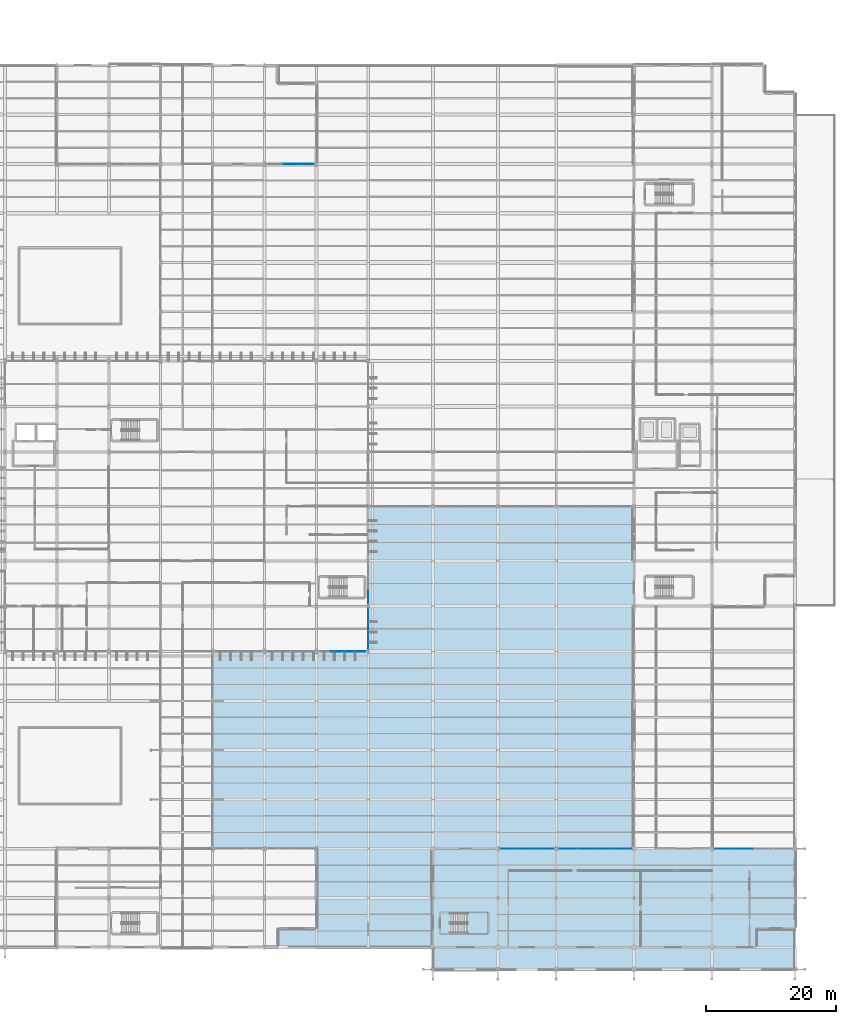
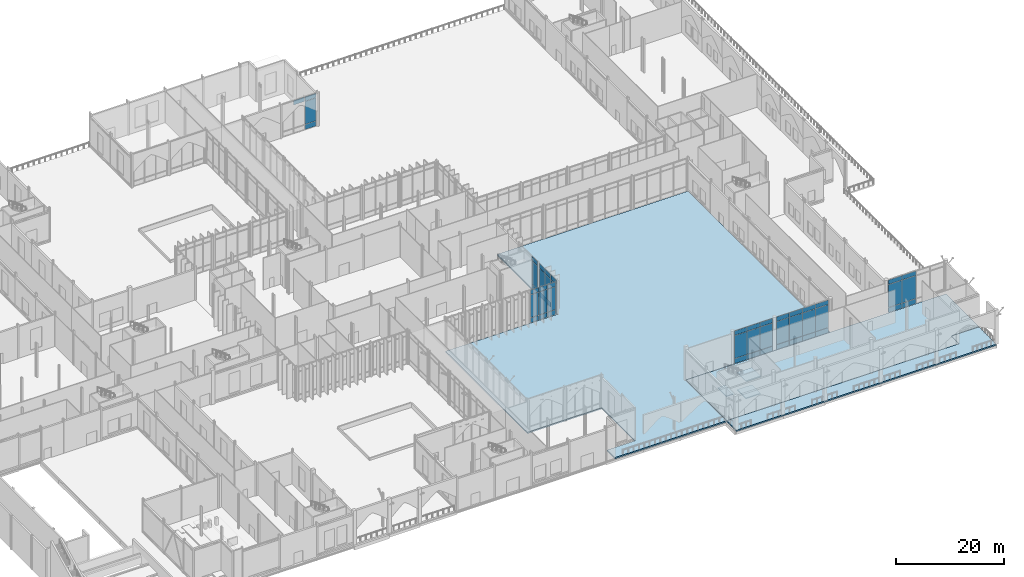
# One storey, part 122 of 176: 52 plates, 6 slabs, 8 elements without a shape of their own.
"""IFC4 building model written with IfcOpenShell, lengths in metres."""

from ifc_helpers import new_model, si_unit, direction, frame, origin, origin_2d, place, context, subcontext, project, spatial, polyline, rectangle, outline, extrude, material, layer, layer_set, type_object, element, aggregate, save


model = new_model("IFC4")

# Units and contexts
model_context = context("Model", 3, precision=1e-05, world=origin(), true_north=direction((0.0, 1.0)))
body_context = subcontext(model_context, "Body", "Model", "MODEL_VIEW")
ifc_project = project(units=[si_unit("LENGTHUNIT", "METRE"), si_unit("AREAUNIT", "SQUARE_METRE"), si_unit("VOLUMEUNIT", "CUBIC_METRE"), si_unit("PLANEANGLEUNIT", "RADIAN"), si_unit("MASSUNIT", "GRAM", prefix="KILO")], contexts=[model_context])

# Site, building, storey
site_placement = place(None, origin())
site = spatial("IfcSite", under=ifc_project, at=site_placement, CompositionType="ELEMENT")
building_placement = place(site_placement, origin())
building = spatial("IfcBuilding", under=site, at=building_placement, Name="Vekula Escarpment Museum", CompositionType="ELEMENT")
storey_placement = place(building_placement, origin())
storey = spatial("IfcBuildingStorey", under=building, at=storey_placement, Name="L01", CompositionType="ELEMENT", Elevation=0.0)

# Curtain wall, plates
ifc_material_1 = material(Name="Aluminium thermally broken framing", Category="aluminium")
ifc_layer_1 = layer(ifc_material_1, 0.139892578125)
ifc_layer_set_1 = layer_set([ifc_layer_1], Name="Aluminium thermally broken framing")
curtain_wall_type_1 = type_object("IfcCurtainWallType", Name="CW-SYS-06", PredefinedType="NOTDEFINED", material=ifc_layer_set_1)
curtain_wall_1_placement = place(storey_placement, origin())
curtain_wall_1 = element("IfcCurtainWall", 1, at=curtain_wall_1_placement, inside=storey, type_object=curtain_wall_type_1, Name="Curtain Wall CW-L01-016", PredefinedType="NOTDEFINED")
ifc_material_2 = material(Name="Double solar-control low-E glass", Category="glass")
ifc_layer_2 = layer(ifc_material_2, 0.028076171875)
ifc_layer_set_2 = layer_set([ifc_layer_2], Name="Double solar-control low-E glass")
plate_type_1 = type_object("IfcPlateType", Name="CW-PNL-28", PredefinedType="CURTAIN_PANEL", material=ifc_layer_set_2)
plate_1_placement = place(storey_placement, frame((165.2138671875, 15.199951171875, 0.06494140625), z_axis=(0.0, 0.0, 1.0), x_axis=(-1.0, 0.0, 0.0)))
plate_1 = element("IfcPlate", 2, at=plate_1_placement, type_object=plate_type_1, Name="CW-06 panel 1.1", PredefinedType="CURTAIN_PANEL", context=body_context, shape_type="SweptSolid", body=[
    extrude(rectangle(XDim=2.722412109375, YDim=0.028076171875, at=origin_2d()), origin(), (0.0, 0.0, 1.0), 1.1025390625),
])
plate_2_placement = place(storey_placement, frame((165.2138671875, 15.199951171875, 1.232421875), z_axis=(0.0, 0.0, 1.0), x_axis=(-1.0, 0.0, 0.0)))
plate_2 = element("IfcPlate", 3, at=plate_2_placement, type_object=plate_type_1, Name="CW-06 panel 1.2", PredefinedType="CURTAIN_PANEL", context=body_context, shape_type="SweptSolid", body=[
    extrude(rectangle(XDim=2.722412109375, YDim=0.028076171875, at=origin_2d()), origin(), (0.0, 0.0, 1.0), 5.175048828125),
])
plate_3_placement = place(storey_placement, frame((165.2138671875, 15.199951171875, 6.472412109375), z_axis=(0.0, 0.0, 1.0), x_axis=(-1.0, 0.0, 0.0)))
plate_3 = element("IfcPlate", 4, at=plate_3_placement, type_object=plate_type_1, Name="CW-06 panel 1.3", PredefinedType="CURTAIN_PANEL", context=body_context, shape_type="SweptSolid", body=[
    extrude(rectangle(XDim=2.722412109375, YDim=0.028076171875, at=origin_2d()), origin(), (0.0, 0.0, 1.0), 1.00244140625),
])
plate_4_placement = place(storey_placement, frame((162.409912109375, 15.199951171875, 0.06494140625), z_axis=(0.0, 0.0, 1.0), x_axis=(-1.0, 0.0, 0.0)))
plate_4 = element("IfcPlate", 5, at=plate_4_placement, type_object=plate_type_1, Name="CW-06 panel 2.1", PredefinedType="CURTAIN_PANEL", context=body_context, shape_type="SweptSolid", body=[
    extrude(rectangle(XDim=2.7548828125, YDim=0.028076171875, at=origin_2d()), origin(), (0.0, 0.0, 1.0), 1.1025390625),
])
plate_5_placement = place(storey_placement, frame((162.409912109375, 15.199951171875, 1.232421875), z_axis=(0.0, 0.0, 1.0), x_axis=(-1.0, 0.0, 0.0)))
plate_5 = element("IfcPlate", 6, at=plate_5_placement, type_object=plate_type_1, Name="CW-06 panel 2.2", PredefinedType="CURTAIN_PANEL", context=body_context, shape_type="SweptSolid", body=[
    extrude(rectangle(XDim=2.7548828125, YDim=0.028076171875, at=origin_2d()), origin(), (0.0, 0.0, 1.0), 5.175048828125),
])
plate_6_placement = place(storey_placement, frame((162.409912109375, 15.199951171875, 6.472412109375), z_axis=(0.0, 0.0, 1.0), x_axis=(-1.0, 0.0, 0.0)))
plate_6 = element("IfcPlate", 7, at=plate_6_placement, type_object=plate_type_1, Name="CW-06 panel 2.3", PredefinedType="CURTAIN_PANEL", context=body_context, shape_type="SweptSolid", body=[
    extrude(rectangle(XDim=2.7548828125, YDim=0.028076171875, at=origin_2d()), origin(), (0.0, 0.0, 1.0), 1.00244140625),
])
plate_7_placement = place(storey_placement, frame((159.590087890625, 15.199951171875, 0.06494140625), z_axis=(0.0, 0.0, 1.0), x_axis=(-1.0, 0.0, 0.0)))
plate_7 = element("IfcPlate", 8, at=plate_7_placement, type_object=plate_type_1, Name="CW-06 panel 3.1", PredefinedType="CURTAIN_PANEL", context=body_context, shape_type="SweptSolid", body=[
    extrude(rectangle(XDim=2.7548828125, YDim=0.028076171875, at=origin_2d()), origin(), (0.0, 0.0, 1.0), 1.1025390625),
])
plate_8_placement = place(storey_placement, frame((159.590087890625, 15.199951171875, 1.232421875), z_axis=(0.0, 0.0, 1.0), x_axis=(-1.0, 0.0, 0.0)))
plate_8 = element("IfcPlate", 9, at=plate_8_placement, type_object=plate_type_1, Name="CW-06 panel 3.2", PredefinedType="CURTAIN_PANEL", context=body_context, shape_type="SweptSolid", body=[
    extrude(rectangle(XDim=2.7548828125, YDim=0.028076171875, at=origin_2d()), origin(), (0.0, 0.0, 1.0), 5.175048828125),
])
plate_9_placement = place(storey_placement, frame((159.590087890625, 15.199951171875, 6.472412109375), z_axis=(0.0, 0.0, 1.0), x_axis=(-1.0, 0.0, 0.0)))
plate_9 = element("IfcPlate", 10, at=plate_9_placement, type_object=plate_type_1, Name="CW-06 panel 3.3", PredefinedType="CURTAIN_PANEL", context=body_context, shape_type="SweptSolid", body=[
    extrude(rectangle(XDim=2.7548828125, YDim=0.028076171875, at=origin_2d()), origin(), (0.0, 0.0, 1.0), 1.00244140625),
])
plate_10_placement = place(storey_placement, frame((156.7861328125, 15.199951171875, 0.06494140625), z_axis=(0.0, 0.0, 1.0), x_axis=(-1.0, 0.0, 0.0)))
plate_10 = element("IfcPlate", 11, at=plate_10_placement, type_object=plate_type_1, Name="CW-06 panel 4.1", PredefinedType="CURTAIN_PANEL", context=body_context, shape_type="SweptSolid", body=[
    extrude(rectangle(XDim=2.722412109375, YDim=0.028076171875, at=origin_2d()), origin(), (0.0, 0.0, 1.0), 1.1025390625),
])
plate_11_placement = place(storey_placement, frame((156.7861328125, 15.199951171875, 1.232421875), z_axis=(0.0, 0.0, 1.0), x_axis=(-1.0, 0.0, 0.0)))
plate_11 = element("IfcPlate", 12, at=plate_11_placement, type_object=plate_type_1, Name="CW-06 panel 4.2", PredefinedType="CURTAIN_PANEL", context=body_context, shape_type="SweptSolid", body=[
    extrude(rectangle(XDim=2.722412109375, YDim=0.028076171875, at=origin_2d()), origin(), (0.0, 0.0, 1.0), 5.175048828125),
])
plate_12_placement = place(storey_placement, frame((156.7861328125, 15.199951171875, 6.472412109375), z_axis=(0.0, 0.0, 1.0), x_axis=(-1.0, 0.0, 0.0)))
plate_12 = element("IfcPlate", 13, at=plate_12_placement, type_object=plate_type_1, Name="CW-06 panel 4.3", PredefinedType="CURTAIN_PANEL", context=body_context, shape_type="SweptSolid", body=[
    extrude(rectangle(XDim=2.722412109375, YDim=0.028076171875, at=origin_2d()), origin(), (0.0, 0.0, 1.0), 1.00244140625),
])
aggregate(curtain_wall_1, [plate_1, plate_2, plate_3, plate_4, plate_5, plate_6, plate_7, plate_8, plate_9, plate_10, plate_11, plate_12])

ifc_material_3 = material(Name="Aluminium thermally broken framing", Category="aluminium")
ifc_layer_3 = layer(ifc_material_3, 0.159912109375)
ifc_layer_set_3 = layer_set([ifc_layer_3], Name="Aluminium thermally broken framing")
curtain_wall_type_2 = type_object("IfcCurtainWallType", Name="CW-SYS-02", PredefinedType="NOTDEFINED", material=ifc_layer_set_3)
curtain_wall_2_placement = place(storey_placement, origin())
curtain_wall_2 = element("IfcCurtainWall", 14, at=curtain_wall_2_placement, inside=storey, type_object=curtain_wall_type_2, Name="Curtain Wall CW-L01-032", PredefinedType="NOTDEFINED")
plate_13_placement = place(storey_placement, frame((114.0, 120.800048828125, 6.472412109375), z_axis=(0.0, 0.0, 1.0), x_axis=(1.0, 0.0, 0.0)))
plate_13 = element("IfcPlate", 15, at=plate_13_placement, type_object=plate_type_1, Name="CW-02 panel 2.3", PredefinedType="CURTAIN_PANEL", context=body_context, shape_type="SweptSolid", body=[
    extrude(rectangle(XDim=2.361572265625, YDim=0.028076171875, at=origin_2d()), origin(), (0.0, 0.0, 1.0), 1.00244140625),
])
plate_14_placement = place(storey_placement, frame((116.410400390625, 120.800048828125, 0.06494140625), z_axis=(0.0, 0.0, 1.0), x_axis=(1.0, 0.0, 0.0)))
plate_14 = element("IfcPlate", 16, at=plate_14_placement, type_object=plate_type_1, Name="CW-02 panel 3.1", PredefinedType="CURTAIN_PANEL", context=body_context, shape_type="SweptSolid", body=[
    extrude(rectangle(XDim=2.3291015625, YDim=0.028076171875, at=origin_2d()), origin(), (0.0, 0.0, 1.0), 1.1025390625),
])
plate_15_placement = place(storey_placement, frame((116.410400390625, 120.800048828125, 1.232421875), z_axis=(0.0, 0.0, 1.0), x_axis=(1.0, 0.0, 0.0)))
plate_15 = element("IfcPlate", 17, at=plate_15_placement, type_object=plate_type_1, Name="CW-02 panel 3.2", PredefinedType="CURTAIN_PANEL", context=body_context, shape_type="SweptSolid", body=[
    extrude(rectangle(XDim=2.3291015625, YDim=0.028076171875, at=origin_2d()), origin(), (0.0, 0.0, 1.0), 5.175048828125),
])
plate_16_placement = place(storey_placement, frame((116.410400390625, 120.800048828125, 6.472412109375), z_axis=(0.0, 0.0, 1.0), x_axis=(1.0, 0.0, 0.0)))
plate_16 = element("IfcPlate", 18, at=plate_16_placement, type_object=plate_type_1, Name="CW-02 panel 3.3", PredefinedType="CURTAIN_PANEL", context=body_context, shape_type="SweptSolid", body=[
    extrude(rectangle(XDim=2.3291015625, YDim=0.028076171875, at=origin_2d()), origin(), (0.0, 0.0, 1.0), 1.00244140625),
])
aggregate(curtain_wall_2, [plate_13, plate_14, plate_15, plate_16])

ifc_material_4 = material(Name="Aluminium thermally broken framing", Category="aluminium")
ifc_layer_4 = layer(ifc_material_4, 0.14990234375)
ifc_layer_set_4 = layer_set([ifc_layer_4], Name="Aluminium thermally broken framing")
curtain_wall_type_3 = type_object("IfcCurtainWallType", Name="CW-SYS-09", PredefinedType="NOTDEFINED", material=ifc_layer_set_4)
curtain_wall_3_placement = place(storey_placement, origin())
curtain_wall_3 = element("IfcCurtainWall", 19, at=curtain_wall_3_placement, inside=storey, type_object=curtain_wall_type_3, Name="Curtain Wall CW-L01-009", PredefinedType="NOTDEFINED")
ifc_material_5 = material(Name="Acoustic laminated double low-E glass", Category="glass")
ifc_layer_5 = layer(ifc_material_5, 0.031982421875)
ifc_layer_set_5 = layer_set([ifc_layer_5], Name="Acoustic laminated double low-E glass")
plate_type_2 = type_object("IfcPlateType", Name="CW-PNL-32", PredefinedType="CURTAIN_PANEL", material=ifc_layer_set_5)
plate_17_placement = place(storey_placement, frame((121.090087890625, 45.60009765625, 0.06494140625), z_axis=(0.0, 0.0, 1.0), x_axis=(1.0, 0.0, 0.0)))
plate_17 = element("IfcPlate", 20, at=plate_17_placement, type_object=plate_type_2, Name="CW-09 panel 2.1", PredefinedType="CURTAIN_PANEL", context=body_context, shape_type="SweptSolid", body=[
    extrude(rectangle(XDim=1.7548828125, YDim=0.031982421875, at=origin_2d()), origin(), (0.0, 0.0, 1.0), 1.1025390625),
])
plate_18_placement = place(storey_placement, frame((121.090087890625, 45.60009765625, 1.232421875), z_axis=(0.0, 0.0, 1.0), x_axis=(1.0, 0.0, 0.0)))
plate_18 = element("IfcPlate", 21, at=plate_18_placement, type_object=plate_type_2, Name="CW-09 panel 2.2", PredefinedType="CURTAIN_PANEL", context=body_context, shape_type="SweptSolid", body=[
    extrude(rectangle(XDim=1.7548828125, YDim=0.031982421875, at=origin_2d()), origin(), (0.0, 0.0, 1.0), 5.175048828125),
])
plate_19_placement = place(storey_placement, frame((121.090087890625, 45.60009765625, 6.472412109375), z_axis=(0.0, 0.0, 1.0), x_axis=(1.0, 0.0, 0.0)))
plate_19 = element("IfcPlate", 22, at=plate_19_placement, type_object=plate_type_2, Name="CW-09 panel 2.3", PredefinedType="CURTAIN_PANEL", context=body_context, shape_type="SweptSolid", body=[
    extrude(rectangle(XDim=1.7548828125, YDim=0.031982421875, at=origin_2d()), origin(), (0.0, 0.0, 1.0), 1.00244140625),
])
plate_20_placement = place(storey_placement, frame((122.909912109375, 45.60009765625, 0.06494140625), z_axis=(0.0, 0.0, 1.0), x_axis=(1.0, 0.0, 0.0)))
plate_20 = element("IfcPlate", 23, at=plate_20_placement, type_object=plate_type_2, Name="CW-09 panel 3.1", PredefinedType="CURTAIN_PANEL", context=body_context, shape_type="SweptSolid", body=[
    extrude(rectangle(XDim=1.7548828125, YDim=0.031982421875, at=origin_2d()), origin(), (0.0, 0.0, 1.0), 1.1025390625),
])
plate_21_placement = place(storey_placement, frame((122.909912109375, 45.60009765625, 1.232421875), z_axis=(0.0, 0.0, 1.0), x_axis=(1.0, 0.0, 0.0)))
plate_21 = element("IfcPlate", 24, at=plate_21_placement, type_object=plate_type_2, Name="CW-09 panel 3.2", PredefinedType="CURTAIN_PANEL", context=body_context, shape_type="SweptSolid", body=[
    extrude(rectangle(XDim=1.7548828125, YDim=0.031982421875, at=origin_2d()), origin(), (0.0, 0.0, 1.0), 5.175048828125),
])
plate_22_placement = place(storey_placement, frame((122.909912109375, 45.60009765625, 6.472412109375), z_axis=(0.0, 0.0, 1.0), x_axis=(1.0, 0.0, 0.0)))
plate_22 = element("IfcPlate", 25, at=plate_22_placement, type_object=plate_type_2, Name="CW-09 panel 3.3", PredefinedType="CURTAIN_PANEL", context=body_context, shape_type="SweptSolid", body=[
    extrude(rectangle(XDim=1.7548828125, YDim=0.031982421875, at=origin_2d()), origin(), (0.0, 0.0, 1.0), 1.00244140625),
])
plate_23_placement = place(storey_placement, frame((124.7138671875, 45.60009765625, 0.06494140625), z_axis=(0.0, 0.0, 1.0), x_axis=(1.0, 0.0, 0.0)))
plate_23 = element("IfcPlate", 26, at=plate_23_placement, type_object=plate_type_2, Name="CW-09 panel 4.1", PredefinedType="CURTAIN_PANEL", context=body_context, shape_type="SweptSolid", body=[
    extrude(rectangle(XDim=1.722412109375, YDim=0.031982421875, at=origin_2d()), origin(), (0.0, 0.0, 1.0), 1.1025390625),
])
plate_24_placement = place(storey_placement, frame((124.7138671875, 45.60009765625, 1.232421875), z_axis=(0.0, 0.0, 1.0), x_axis=(1.0, 0.0, 0.0)))
plate_24 = element("IfcPlate", 27, at=plate_24_placement, type_object=plate_type_2, Name="CW-09 panel 4.2", PredefinedType="CURTAIN_PANEL", context=body_context, shape_type="SweptSolid", body=[
    extrude(rectangle(XDim=1.722412109375, YDim=0.031982421875, at=origin_2d()), origin(), (0.0, 0.0, 1.0), 5.175048828125),
])
plate_25_placement = place(storey_placement, frame((124.7138671875, 45.60009765625, 6.472412109375), z_axis=(0.0, 0.0, 1.0), x_axis=(1.0, 0.0, 0.0)))
plate_25 = element("IfcPlate", 28, at=plate_25_placement, type_object=plate_type_2, Name="CW-09 panel 4.3", PredefinedType="CURTAIN_PANEL", context=body_context, shape_type="SweptSolid", body=[
    extrude(rectangle(XDim=1.722412109375, YDim=0.031982421875, at=origin_2d()), origin(), (0.0, 0.0, 1.0), 1.00244140625),
])
aggregate(curtain_wall_3, [plate_17, plate_18, plate_19, plate_20, plate_21, plate_22, plate_23, plate_24, plate_25])

ifc_material_6 = material(Name="Aluminium thermally broken framing", Category="aluminium")
ifc_layer_6 = layer(ifc_material_6, 0.179931640625)
ifc_layer_set_6 = layer_set([ifc_layer_6], Name="Aluminium thermally broken framing")
curtain_wall_type_4 = type_object("IfcCurtainWallType", Name="CW-SYS-07", PredefinedType="NOTDEFINED", material=ifc_layer_set_6)
curtain_wall_4_placement = place(storey_placement, origin())
curtain_wall_4 = element("IfcCurtainWall", 29, at=curtain_wall_4_placement, inside=storey, type_object=curtain_wall_type_4, Name="Curtain Wall CW-L01-017", PredefinedType="NOTDEFINED")
plate_26_placement = place(storey_placement, frame((153.24365234375, 15.199951171875, 0.06494140625), z_axis=(0.0, 0.0, 1.0), x_axis=(-1.0, 0.0, 0.0)))
plate_26 = element("IfcPlate", 30, at=plate_26_placement, type_object=plate_type_2, Name="CW-07 panel 1.1", PredefinedType="CURTAIN_PANEL", context=body_context, shape_type="SweptSolid", body=[
    extrude(rectangle(XDim=2.66259765625, YDim=0.031982421875, at=origin_2d()), origin(), (0.0, 0.0, 1.0), 1.1025390625),
])
plate_27_placement = place(storey_placement, frame((153.24365234375, 15.199951171875, 1.232421875), z_axis=(0.0, 0.0, 1.0), x_axis=(-1.0, 0.0, 0.0)))
plate_27 = element("IfcPlate", 31, at=plate_27_placement, type_object=plate_type_2, Name="CW-07 panel 1.2", PredefinedType="CURTAIN_PANEL", context=body_context, shape_type="SweptSolid", body=[
    extrude(rectangle(XDim=2.66259765625, YDim=0.031982421875, at=origin_2d()), origin(), (0.0, 0.0, 1.0), 5.175048828125),
])
plate_28_placement = place(storey_placement, frame((153.24365234375, 15.199951171875, 6.472412109375), z_axis=(0.0, 0.0, 1.0), x_axis=(-1.0, 0.0, 0.0)))
plate_28 = element("IfcPlate", 32, at=plate_28_placement, type_object=plate_type_2, Name="CW-07 panel 1.3", PredefinedType="CURTAIN_PANEL", context=body_context, shape_type="SweptSolid", body=[
    extrude(rectangle(XDim=2.66259765625, YDim=0.031982421875, at=origin_2d()), origin(), (0.0, 0.0, 1.0), 1.00244140625),
])
plate_29_placement = place(storey_placement, frame((150.5, 15.199951171875, 0.06494140625), z_axis=(0.0, 0.0, 1.0), x_axis=(-1.0, 0.0, 0.0)))
plate_29 = element("IfcPlate", 33, at=plate_29_placement, type_object=plate_type_2, Name="CW-07 panel 2.1", PredefinedType="CURTAIN_PANEL", context=body_context, shape_type="SweptSolid", body=[
    extrude(rectangle(XDim=2.695068359375, YDim=0.031982421875, at=origin_2d()), origin(), (0.0, 0.0, 1.0), 1.1025390625),
])
plate_30_placement = place(storey_placement, frame((150.5, 15.199951171875, 1.232421875), z_axis=(0.0, 0.0, 1.0), x_axis=(-1.0, 0.0, 0.0)))
plate_30 = element("IfcPlate", 34, at=plate_30_placement, type_object=plate_type_2, Name="CW-07 panel 2.2", PredefinedType="CURTAIN_PANEL", context=body_context, shape_type="SweptSolid", body=[
    extrude(rectangle(XDim=2.695068359375, YDim=0.031982421875, at=origin_2d()), origin(), (0.0, 0.0, 1.0), 5.175048828125),
])
plate_31_placement = place(storey_placement, frame((150.5, 15.199951171875, 6.472412109375), z_axis=(0.0, 0.0, 1.0), x_axis=(-1.0, 0.0, 0.0)))
plate_31 = element("IfcPlate", 35, at=plate_31_placement, type_object=plate_type_2, Name="CW-07 panel 2.3", PredefinedType="CURTAIN_PANEL", context=body_context, shape_type="SweptSolid", body=[
    extrude(rectangle(XDim=2.695068359375, YDim=0.031982421875, at=origin_2d()), origin(), (0.0, 0.0, 1.0), 1.00244140625),
])
plate_32_placement = place(storey_placement, frame((147.75634765625, 15.199951171875, 0.06494140625), z_axis=(0.0, 0.0, 1.0), x_axis=(-1.0, 0.0, 0.0)))
plate_32 = element("IfcPlate", 36, at=plate_32_placement, type_object=plate_type_2, Name="CW-07 panel 3.1", PredefinedType="CURTAIN_PANEL", context=body_context, shape_type="SweptSolid", body=[
    extrude(rectangle(XDim=2.66259765625, YDim=0.031982421875, at=origin_2d()), origin(), (0.0, 0.0, 1.0), 1.1025390625),
])
plate_33_placement = place(storey_placement, frame((147.75634765625, 15.199951171875, 1.232421875), z_axis=(0.0, 0.0, 1.0), x_axis=(-1.0, 0.0, 0.0)))
plate_33 = element("IfcPlate", 37, at=plate_33_placement, type_object=plate_type_2, Name="CW-07 panel 3.2", PredefinedType="CURTAIN_PANEL", context=body_context, shape_type="SweptSolid", body=[
    extrude(rectangle(XDim=2.66259765625, YDim=0.031982421875, at=origin_2d()), origin(), (0.0, 0.0, 1.0), 5.175048828125),
])
plate_34_placement = place(storey_placement, frame((147.75634765625, 15.199951171875, 6.472412109375), z_axis=(0.0, 0.0, 1.0), x_axis=(-1.0, 0.0, 0.0)))
plate_34 = element("IfcPlate", 38, at=plate_34_placement, type_object=plate_type_2, Name="CW-07 panel 3.3", PredefinedType="CURTAIN_PANEL", context=body_context, shape_type="SweptSolid", body=[
    extrude(rectangle(XDim=2.66259765625, YDim=0.031982421875, at=origin_2d()), origin(), (0.0, 0.0, 1.0), 1.00244140625),
])
aggregate(curtain_wall_4, [plate_26, plate_27, plate_28, plate_29, plate_30, plate_31, plate_32, plate_33, plate_34])

ifc_material_7 = material(Name="Aluminium thermally broken framing", Category="aluminium")
ifc_layer_7 = layer(ifc_material_7, 0.169921875)
ifc_layer_set_7 = layer_set([ifc_layer_7], Name="Aluminium thermally broken framing")
curtain_wall_type_5 = type_object("IfcCurtainWallType", Name="CW-SYS-10", PredefinedType="NOTDEFINED", material=ifc_layer_set_7)
curtain_wall_5_placement = place(storey_placement, origin())
curtain_wall_5 = element("IfcCurtainWall", 39, at=curtain_wall_5_placement, inside=storey, type_object=curtain_wall_type_5, Name="Curtain Wall CW-L01-010", PredefinedType="NOTDEFINED")
ifc_material_8 = material(Name="Triple UV-filtered museum gallery glass", Category="glass")
ifc_layer_8 = layer(ifc_material_8, 0.035888671875)
ifc_layer_set_8 = layer_set([ifc_layer_8], Name="Triple UV-filtered museum gallery glass")
plate_type_3 = type_object("IfcPlateType", Name="CW-PNL-36", PredefinedType="CURTAIN_PANEL", material=ifc_layer_set_8)
plate_35_placement = place(storey_placement, frame((126.0, 47.02294921875, 0.06494140625), z_axis=(0.0, 0.0, 1.0), x_axis=(0.0, 1.0, 0.0)))
plate_35 = element("IfcPlate", 40, at=plate_35_placement, type_object=plate_type_3, Name="CW-10 panel 1.1", PredefinedType="CURTAIN_PANEL", context=body_context, shape_type="SweptSolid", body=[
    extrude(rectangle(XDim=1.995849609375, YDim=0.035888671875, at=origin_2d()), origin(), (0.0, 0.0, 1.0), 1.1025390625),
])
plate_36_placement = place(storey_placement, frame((126.0, 47.02294921875, 1.232421875), z_axis=(0.0, 0.0, 1.0), x_axis=(0.0, 1.0, 0.0)))
plate_36 = element("IfcPlate", 41, at=plate_36_placement, type_object=plate_type_3, Name="CW-10 panel 1.2", PredefinedType="CURTAIN_PANEL", context=body_context, shape_type="SweptSolid", body=[
    extrude(rectangle(XDim=1.995849609375, YDim=0.035888671875, at=origin_2d()), origin(), (0.0, 0.0, 1.0), 5.175048828125),
])
plate_37_placement = place(storey_placement, frame((126.0, 47.02294921875, 6.472412109375), z_axis=(0.0, 0.0, 1.0), x_axis=(0.0, 1.0, 0.0)))
plate_37 = element("IfcPlate", 42, at=plate_37_placement, type_object=plate_type_3, Name="CW-10 panel 1.3", PredefinedType="CURTAIN_PANEL", context=body_context, shape_type="SweptSolid", body=[
    extrude(rectangle(XDim=1.995849609375, YDim=0.035888671875, at=origin_2d()), origin(), (0.0, 0.0, 1.0), 1.00244140625),
])
plate_38_placement = place(storey_placement, frame((126.0, 49.10009765625, 0.06494140625), z_axis=(0.0, 0.0, 1.0), x_axis=(0.0, 1.0, 0.0)))
plate_38 = element("IfcPlate", 43, at=plate_38_placement, type_object=plate_type_3, Name="CW-10 panel 2.1", PredefinedType="CURTAIN_PANEL", context=body_context, shape_type="SweptSolid", body=[
    extrude(rectangle(XDim=2.0283203125, YDim=0.035888671875, at=origin_2d()), origin(), (0.0, 0.0, 1.0), 1.1025390625),
])
plate_39_placement = place(storey_placement, frame((126.0, 49.10009765625, 1.232421875), z_axis=(0.0, 0.0, 1.0), x_axis=(0.0, 1.0, 0.0)))
plate_39 = element("IfcPlate", 44, at=plate_39_placement, type_object=plate_type_3, Name="CW-10 panel 2.2", PredefinedType="CURTAIN_PANEL", context=body_context, shape_type="SweptSolid", body=[
    extrude(rectangle(XDim=2.0283203125, YDim=0.035888671875, at=origin_2d()), origin(), (0.0, 0.0, 1.0), 5.175048828125),
])
plate_40_placement = place(storey_placement, frame((126.0, 49.10009765625, 6.472412109375), z_axis=(0.0, 0.0, 1.0), x_axis=(0.0, 1.0, 0.0)))
plate_40 = element("IfcPlate", 45, at=plate_40_placement, type_object=plate_type_3, Name="CW-10 panel 2.3", PredefinedType="CURTAIN_PANEL", context=body_context, shape_type="SweptSolid", body=[
    extrude(rectangle(XDim=2.0283203125, YDim=0.035888671875, at=origin_2d()), origin(), (0.0, 0.0, 1.0), 1.00244140625),
])
plate_41_placement = place(storey_placement, frame((126.0, 51.177001953125, 0.06494140625), z_axis=(0.0, 0.0, 1.0), x_axis=(0.0, 1.0, 0.0)))
plate_41 = element("IfcPlate", 46, at=plate_41_placement, type_object=plate_type_3, Name="CW-10 panel 3.1", PredefinedType="CURTAIN_PANEL", context=body_context, shape_type="SweptSolid", body=[
    extrude(rectangle(XDim=1.995849609375, YDim=0.035888671875, at=origin_2d()), origin(), (0.0, 0.0, 1.0), 1.1025390625),
])
plate_42_placement = place(storey_placement, frame((126.0, 51.177001953125, 1.232421875), z_axis=(0.0, 0.0, 1.0), x_axis=(0.0, 1.0, 0.0)))
plate_42 = element("IfcPlate", 47, at=plate_42_placement, type_object=plate_type_3, Name="CW-10 panel 3.2", PredefinedType="CURTAIN_PANEL", context=body_context, shape_type="SweptSolid", body=[
    extrude(rectangle(XDim=1.995849609375, YDim=0.035888671875, at=origin_2d()), origin(), (0.0, 0.0, 1.0), 5.175048828125),
])
plate_43_placement = place(storey_placement, frame((126.0, 51.177001953125, 6.472412109375), z_axis=(0.0, 0.0, 1.0), x_axis=(0.0, 1.0, 0.0)))
plate_43 = element("IfcPlate", 48, at=plate_43_placement, type_object=plate_type_3, Name="CW-10 panel 3.3", PredefinedType="CURTAIN_PANEL", context=body_context, shape_type="SweptSolid", body=[
    extrude(rectangle(XDim=1.995849609375, YDim=0.035888671875, at=origin_2d()), origin(), (0.0, 0.0, 1.0), 1.00244140625),
])
aggregate(curtain_wall_5, [plate_35, plate_36, plate_37, plate_38, plate_39, plate_40, plate_41, plate_42, plate_43])

ifc_material_9 = material(Name="Aluminium thermally broken framing", Category="aluminium")
ifc_layer_9 = layer(ifc_material_9, 0.179931640625)
ifc_layer_set_9 = layer_set([ifc_layer_9], Name="Aluminium thermally broken framing")
curtain_wall_type_6 = type_object("IfcCurtainWallType", Name="CW-SYS-08", PredefinedType="NOTDEFINED", material=ifc_layer_set_9)
curtain_wall_6_placement = place(storey_placement, origin())
curtain_wall_6 = element("IfcCurtainWall", 49, at=curtain_wall_6_placement, inside=storey, type_object=curtain_wall_type_6, Name="Curtain Wall CW-L01-018", PredefinedType="NOTDEFINED")
plate_44_placement = place(storey_placement, frame((183.889892578125, 15.199951171875, 0.06494140625), z_axis=(0.0, 0.0, 1.0), x_axis=(-1.0, 0.0, 0.0)))
plate_44 = element("IfcPlate", 50, at=plate_44_placement, type_object=plate_type_3, Name="CW-08 panel 3.1", PredefinedType="CURTAIN_PANEL", context=body_context, shape_type="SweptSolid", body=[
    extrude(rectangle(XDim=2.955078125, YDim=0.035888671875, at=origin_2d()), origin(), (0.0, 0.0, 1.0), 1.1025390625),
])
plate_45_placement = place(storey_placement, frame((183.889892578125, 15.199951171875, 1.232421875), z_axis=(0.0, 0.0, 1.0), x_axis=(-1.0, 0.0, 0.0)))
plate_45 = element("IfcPlate", 51, at=plate_45_placement, type_object=plate_type_3, Name="CW-08 panel 3.2", PredefinedType="CURTAIN_PANEL", context=body_context, shape_type="SweptSolid", body=[
    extrude(rectangle(XDim=2.955078125, YDim=0.035888671875, at=origin_2d()), origin(), (0.0, 0.0, 1.0), 5.175048828125),
])
plate_46_placement = place(storey_placement, frame((183.889892578125, 15.199951171875, 6.472412109375), z_axis=(0.0, 0.0, 1.0), x_axis=(-1.0, 0.0, 0.0)))
plate_46 = element("IfcPlate", 52, at=plate_46_placement, type_object=plate_type_3, Name="CW-08 panel 3.3", PredefinedType="CURTAIN_PANEL", context=body_context, shape_type="SweptSolid", body=[
    extrude(rectangle(XDim=2.955078125, YDim=0.035888671875, at=origin_2d()), origin(), (0.0, 0.0, 1.0), 1.00244140625),
])
plate_47_placement = place(storey_placement, frame((180.88623046875, 15.199951171875, 0.06494140625), z_axis=(0.0, 0.0, 1.0), x_axis=(-1.0, 0.0, 0.0)))
plate_47 = element("IfcPlate", 53, at=plate_47_placement, type_object=plate_type_3, Name="CW-08 panel 4.1", PredefinedType="CURTAIN_PANEL", context=body_context, shape_type="SweptSolid", body=[
    extrude(rectangle(XDim=2.922607421875, YDim=0.035888671875, at=origin_2d()), origin(), (0.0, 0.0, 1.0), 1.1025390625),
])
plate_48_placement = place(storey_placement, frame((180.88623046875, 15.199951171875, 1.232421875), z_axis=(0.0, 0.0, 1.0), x_axis=(-1.0, 0.0, 0.0)))
plate_48 = element("IfcPlate", 54, at=plate_48_placement, type_object=plate_type_3, Name="CW-08 panel 4.2", PredefinedType="CURTAIN_PANEL", context=body_context, shape_type="SweptSolid", body=[
    extrude(rectangle(XDim=2.922607421875, YDim=0.035888671875, at=origin_2d()), origin(), (0.0, 0.0, 1.0), 5.175048828125),
])
plate_49_placement = place(storey_placement, frame((180.88623046875, 15.199951171875, 6.472412109375), z_axis=(0.0, 0.0, 1.0), x_axis=(-1.0, 0.0, 0.0)))
plate_49 = element("IfcPlate", 55, at=plate_49_placement, type_object=plate_type_3, Name="CW-08 panel 4.3", PredefinedType="CURTAIN_PANEL", context=body_context, shape_type="SweptSolid", body=[
    extrude(rectangle(XDim=2.922607421875, YDim=0.035888671875, at=origin_2d()), origin(), (0.0, 0.0, 1.0), 1.00244140625),
])
aggregate(curtain_wall_6, [plate_44, plate_45, plate_46, plate_47, plate_48, plate_49])

ifc_material_10 = material(Name="Aluminium thermally broken framing", Category="aluminium")
ifc_layer_10 = layer(ifc_material_10, 0.159912109375)
ifc_layer_set_10 = layer_set([ifc_layer_10], Name="Aluminium thermally broken framing")
curtain_wall_type_7 = type_object("IfcCurtainWallType", Name="CW-SYS-01", PredefinedType="NOTDEFINED", material=ifc_layer_set_10)
curtain_wall_7_placement = place(storey_placement, origin())
curtain_wall_7 = element("IfcCurtainWall", 56, at=curtain_wall_7_placement, inside=storey, type_object=curtain_wall_type_7, Name="Curtain Wall CW-L01-011", PredefinedType="NOTDEFINED")
ifc_material_11 = material(Name="Insulated bronze spandrel glass panel", Category="glass")
ifc_layer_11 = layer(ifc_material_11, 0.0400390625)
ifc_layer_set_11 = layer_set([ifc_layer_11], Name="Insulated bronze spandrel glass panel")
plate_type_4 = type_object("IfcPlateType", Name="CW-PNL-40", PredefinedType="CURTAIN_PANEL", material=ifc_layer_set_11)
plate_50_placement = place(storey_placement, frame((126.0, 54.02294921875, 0.06494140625), z_axis=(0.0, 0.0, 1.0), x_axis=(0.0, 1.0, 0.0)))
plate_50 = element("IfcPlate", 57, at=plate_50_placement, type_object=plate_type_4, Name="CW-01 panel 1.1", PredefinedType="CURTAIN_PANEL", context=body_context, shape_type="SweptSolid", body=[
    extrude(rectangle(XDim=1.995849609375, YDim=0.0400390625, at=origin_2d()), origin(), (0.0, 0.0, 1.0), 1.1025390625),
])
plate_51_placement = place(storey_placement, frame((126.0, 54.02294921875, 1.232421875), z_axis=(0.0, 0.0, 1.0), x_axis=(0.0, 1.0, 0.0)))
plate_51 = element("IfcPlate", 58, at=plate_51_placement, type_object=plate_type_4, Name="CW-01 panel 1.2", PredefinedType="CURTAIN_PANEL", context=body_context, shape_type="SweptSolid", body=[
    extrude(rectangle(XDim=1.995849609375, YDim=0.0400390625, at=origin_2d()), origin(), (0.0, 0.0, 1.0), 5.175048828125),
])
plate_52_placement = place(storey_placement, frame((126.0, 54.02294921875, 6.472412109375), z_axis=(0.0, 0.0, 1.0), x_axis=(0.0, 1.0, 0.0)))
plate_52 = element("IfcPlate", 59, at=plate_52_placement, type_object=plate_type_4, Name="CW-01 panel 1.3", PredefinedType="CURTAIN_PANEL", context=body_context, shape_type="SweptSolid", body=[
    extrude(rectangle(XDim=1.995849609375, YDim=0.0400390625, at=origin_2d()), origin(), (0.0, 0.0, 1.0), 1.00244140625),
])
aggregate(curtain_wall_7, [plate_50, plate_51, plate_52])

# Slab
ifc_material_12 = material(Name="Concrete C35/45", Category="concrete")
ifc_layer_12 = layer(ifc_material_12, 0.300048828125)
ifc_layer_set_12 = layer_set([ifc_layer_12], Name="Concrete C35/45")
slab_type_1 = type_object("IfcSlabType", Name="SL-FLR-300", PredefinedType="FLOOR", material=ifc_layer_set_12)
slab_1_placement = place(storey_placement, frame((0.0, 0.0, -0.300048828125)))
element("IfcSlab", 60, at=slab_1_placement, inside=storey, type_object=slab_type_1, Name="Floor Slab W-L01-V4-Z9", PredefinedType="FLOOR", context=body_context, shape_type="SweptSolid", body=[
    extrude(outline(polyline([(136.0, 0.0), (185.800048828125, 0.0), (185.800048828125, 2.887939453125), (191.800048828125, 2.887939453125), (191.800048828125, 15.199951171875), (136.0, 15.199951171875), (136.0, 0.0)])), origin(), (0.0, 0.0, 1.0), 0.300048828125),
])

# Stair, slabs
ifc_material_13 = material(Name="Concrete C35/45", Category="concrete")
stair_type = type_object("IfcStairType", Name="STR-TYPE-142", PredefinedType="HALF_TURN_STAIR", material=ifc_material_13)
stair_placement = place(storey_placement, origin())
stair = element("IfcStair", 61, at=stair_placement, inside=storey, type_object=stair_type, Name="L01 South Pavilion Exit Stair ST-06", PredefinedType="HALF_TURN_STAIR")
ifc_material_14 = material(Name="Concrete C35/45", Category="concrete")
ifc_layer_13 = layer(ifc_material_14, 0.199951171875)
ifc_layer_set_13 = layer_set([ifc_layer_13], Name="Concrete C35/45")
slab_type_2 = type_object("IfcSlabType", Name="SL-LAND-200", PredefinedType="LANDING", material=ifc_layer_set_13)
slab_2_placement = place(storey_placement, frame((0.0, 0.0, 1.75)))
slab_2 = element("IfcSlab", 62, at=slab_2_placement, type_object=slab_type_2, Name="ST-06 landing 1", PredefinedType="LANDING", context=body_context, shape_type="SweptSolid", body=[
    extrude(outline(polyline([(141.330078125, 2.110107421875), (144.489990234375, 2.110107421875), (144.489990234375, 5.330078125), (141.330078125, 5.330078125), (141.330078125, 2.110107421875)])), origin(), (0.0, 0.0, 1.0), 0.199951171875),
])
slab_3_placement = place(storey_placement, frame((0.0, 0.0, 3.699951171875)))
slab_3 = element("IfcSlab", 63, at=slab_3_placement, type_object=slab_type_2, Name="ST-06 landing 2", PredefinedType="LANDING", context=body_context, shape_type="SweptSolid", body=[
    extrude(outline(polyline([(137.110107421875, 2.110107421875), (138.7099609375, 2.110107421875), (138.7099609375, 5.330078125), (137.110107421875, 5.330078125), (137.110107421875, 2.110107421875)])), origin(), (0.0, 0.0, 1.0), 0.199951171875),
])
slab_4_placement = place(storey_placement, frame((0.0, 0.0, 5.64990234375)))
slab_4 = element("IfcSlab", 64, at=slab_4_placement, type_object=slab_type_2, Name="ST-06 landing 3", PredefinedType="LANDING", context=body_context, shape_type="SweptSolid", body=[
    extrude(outline(polyline([(141.330078125, 2.110107421875), (144.489990234375, 2.110107421875), (144.489990234375, 5.330078125), (141.330078125, 5.330078125), (141.330078125, 2.110107421875)])), origin(), (0.0, 0.0, 1.0), 0.2001953125),
])
aggregate(stair, [slab_2, slab_3, slab_4])

# Slabs
ifc_material_15 = material(Name="Precast concrete C40/50", Category="concrete")
ifc_layer_14 = layer(ifc_material_15, 0.300048828125)
ifc_layer_set_14 = layer_set([ifc_layer_14], Name="Precast concrete C40/50")
slab_type_3 = type_object("IfcSlabType", Name="SL-TER-300", PredefinedType="FLOOR", material=ifc_layer_set_14)
slab_5_placement = place(storey_placement, frame((0.0, 0.0, -0.300048828125)))
element("IfcSlab", 65, at=slab_5_placement, inside=storey, type_object=slab_type_3, Name="Plinth Courtyard Terrace T-L01-PLN-SE-1", PredefinedType="FLOOR", context=body_context, shape_type="SweptSolid", body=[
    extrude(outline(polyline([(112.014892578125, 2.873046875), (118.014892578125, 2.873046875), (118.014892578125, 15.215087890625), (102.014892578125, 15.215087890625), (102.014892578125, 45.5849609375), (126.014892578125, 45.5849609375), (126.014892578125, 67.985107421875), (166.985107421875, 67.985107421875), (166.985107421875, 52.614990234375), (166.985107421875, 52.5849609375), (166.985107421875, 15.215087890625), (135.985107421875, 15.215087890625), (135.985107421875, 0.0), (112.014892578125, 0.0), (112.014892578125, 2.873046875)])), origin(), (0.0, 0.0, 1.0), 0.300048828125),
])
slab_6_placement = place(storey_placement, frame((0.0, 0.0, -0.300048828125)))
element("IfcSlab", 66, at=slab_6_placement, inside=storey, type_object=slab_type_3, Name="Plinth Courtyard Terrace T-L01-PLN-SE-3", PredefinedType="FLOOR", context=body_context, shape_type="SweptSolid", body=[
    extrude(outline(polyline([(191.800048828125, -3.60009765625), (136.0, -3.60009765625), (136.0, -0.014892578125), (185.81494140625, -0.014892578125), (185.81494140625, 2.873046875), (191.800048828125, 2.873046875), (191.800048828125, 0.0), (191.800048828125, -3.60009765625)])), origin(), (0.0, 0.0, 1.0), 0.300048828125),
])

save(model, "model.ifc")
